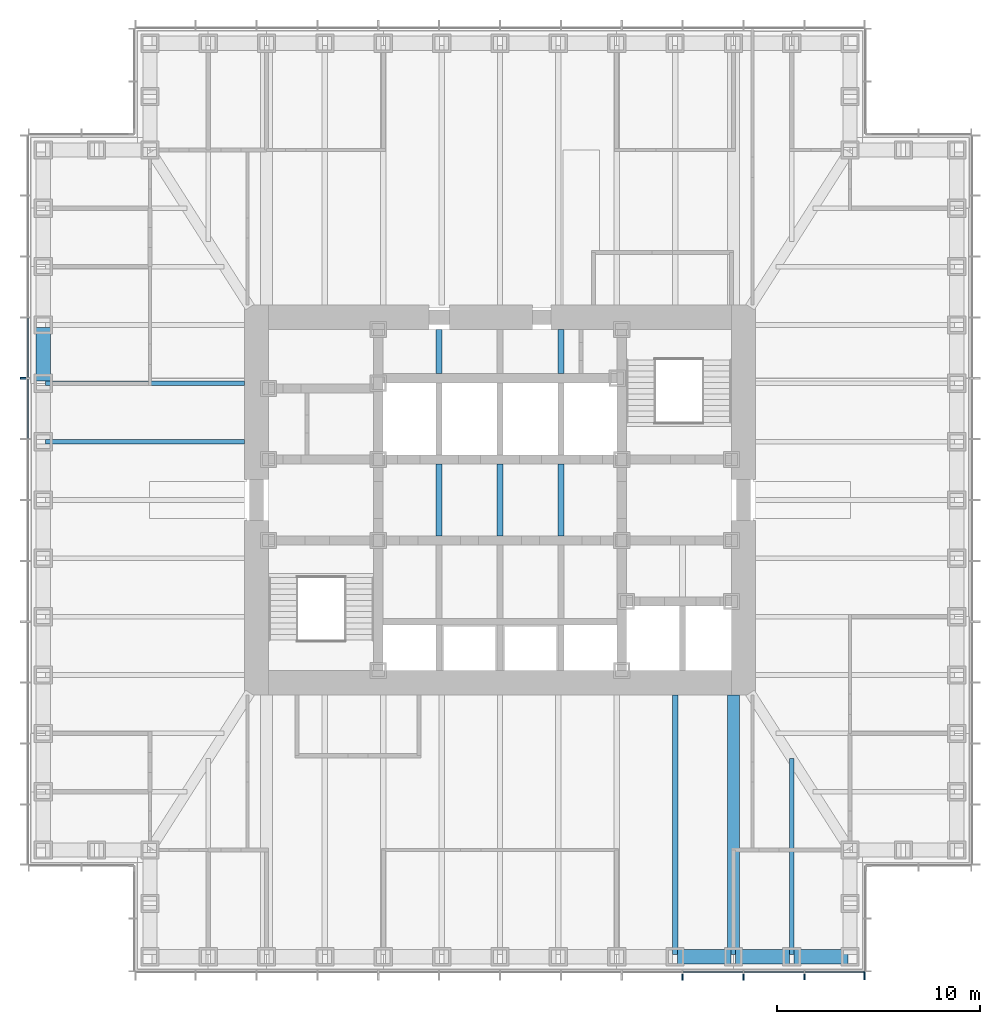
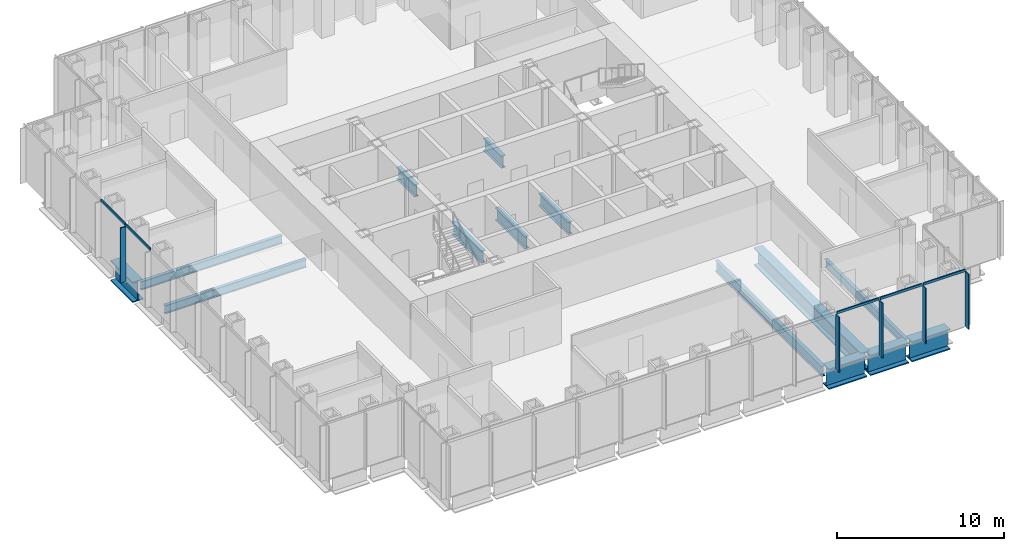
# One storey, part 3 of 17: 14 beams, 10 members, 2 elements without a shape of their own.
"""IFC4 building model written with IfcOpenShell, lengths in metres."""

from ifc_helpers import new_model, si_unit, direction, frame, origin, origin_2d, place, context, subcontext, project, spatial, rectangle, i_section, extrude, material, material_profile, profile_set, type_object, element, aggregate, save


model = new_model("IFC4")

# Units and contexts
model_context = context("Model", 3, precision=1e-05, world=origin(), true_north=direction((0.0, 1.0)))
body_context = subcontext(model_context, "Body", "Model", "MODEL_VIEW")
ifc_project = project(units=[si_unit("LENGTHUNIT", "METRE"), si_unit("AREAUNIT", "SQUARE_METRE"), si_unit("VOLUMEUNIT", "CUBIC_METRE"), si_unit("PLANEANGLEUNIT", "RADIAN"), si_unit("MASSUNIT", "GRAM", prefix="KILO")], contexts=[model_context])

# Site, building, storey
site_placement = place(None, origin())
site = spatial("IfcSite", under=ifc_project, at=site_placement, CompositionType="ELEMENT")
building_placement = place(site_placement, origin())
building = spatial("IfcBuilding", under=site, at=building_placement, Name="Daluyong Arena Tower", CompositionType="ELEMENT")
storey_placement = place(building_placement, frame((0.0, 0.0, 145.89990234375)))
storey = spatial("IfcBuildingStorey", under=building, at=storey_placement, Name="L32", CompositionType="ELEMENT", Elevation=145.89990234375)

# Curtain wall, members
ifc_material_1 = material(Name="Bronze anodised aluminium and glass", Category="aluminium")
curtain_wall_type = type_object("IfcCurtainWallType", Name="Curtain wall CW2", PredefinedType="USERDEFINED", material=ifc_material_1)
curtain_wall_1_placement = place(storey_placement, origin())
curtain_wall_1 = element("IfcCurtainWall", 1, at=curtain_wall_1_placement, inside=storey, type_object=curtain_wall_type, Name="curtain wall L32 S", ObjectType="UNITISED CURTAIN WALL", PredefinedType="USERDEFINED")
ifc_material_2 = material(Name="Bronze anodised aluminium fin", Category="aluminium")
ifc_material_profile_1 = material_profile(ifc_material_2, rectangle(XDim=0.39990234375, YDim=0.080078125, at=origin_2d()))
ifc_profile_set_1 = profile_set([ifc_material_profile_1], Name="Bronze anodised aluminium fin")
member_type_1 = type_object("IfcMemberType", Name="CW2 bronze fin 400x80", PredefinedType="MULLION", material=ifc_profile_set_1)
member_1_placement = place(storey_placement, frame((65.0, 56.550048828125, 0.0), z_axis=(0.0, 0.0, 1.0), x_axis=(0.0, 1.0, 0.0)))
member_1 = element("IfcMember", 2, at=member_1_placement, type_object=member_type_1, Name="curtain wall L32 S fin 10", PredefinedType="MULLION", context=body_context, shape_type="SweptSolid", body=[
    extrude(rectangle(XDim=0.39990234375, YDim=0.080078125, at=origin_2d()), origin(), (0.0, 0.0, 1.0), 4.02001953125),
])
member_2_placement = place(storey_placement, frame((68.0, 56.550048828125, 0.0), z_axis=(0.0, 0.0, 1.0), x_axis=(0.0, 1.0, 0.0)))
member_2 = element("IfcMember", 3, at=member_2_placement, type_object=member_type_1, Name="curtain wall L32 S fin 11", PredefinedType="MULLION", context=body_context, shape_type="SweptSolid", body=[
    extrude(rectangle(XDim=0.39990234375, YDim=0.080078125, at=origin_2d()), origin(), (0.0, 0.0, 1.0), 4.02001953125),
])
member_3_placement = place(storey_placement, frame((71.0, 56.550048828125, 0.0), z_axis=(0.0, 0.0, 1.0), x_axis=(0.0, 1.0, 0.0)))
member_3 = element("IfcMember", 4, at=member_3_placement, type_object=member_type_1, Name="curtain wall L32 S fin 12", PredefinedType="MULLION", context=body_context, shape_type="SweptSolid", body=[
    extrude(rectangle(XDim=0.39990234375, YDim=0.080078125, at=origin_2d()), origin(), (0.0, 0.0, 1.0), 4.02001953125),
])
member_4_placement = place(storey_placement, frame((73.9599609375, 56.550048828125, 0.0), z_axis=(0.0, 0.0, 1.0), x_axis=(0.0, 1.0, 0.0)))
member_4 = element("IfcMember", 5, at=member_4_placement, type_object=member_type_1, Name="curtain wall L32 S fin 13", PredefinedType="MULLION", context=body_context, shape_type="SweptSolid", body=[
    extrude(rectangle(XDim=0.39990234375, YDim=0.080078125, at=origin_2d()), origin(), (0.0, 0.0, 1.0), 4.02001953125),
])

# Curtain wall, member
curtain_wall_2_placement = place(storey_placement, origin())
curtain_wall_2 = element("IfcCurtainWall", 6, at=curtain_wall_2_placement, inside=storey, type_object=curtain_wall_type, Name="curtain wall L32 W", ObjectType="UNITISED CURTAIN WALL", PredefinedType="USERDEFINED")
member_5_placement = place(storey_placement, frame((32.550048828125, 86.0, 0.0), z_axis=(0.0, 0.0, 1.0), x_axis=(1.0, 0.0, 0.0)))
member_5 = element("IfcMember", 7, at=member_5_placement, type_object=member_type_1, Name="curtain wall L32 W fin 5", PredefinedType="MULLION", context=body_context, shape_type="SweptSolid", body=[
    extrude(rectangle(XDim=0.39990234375, YDim=0.080078125, at=origin_2d()), origin(), (0.0, 0.0, 1.0), 4.02001953125),
])

# Member
ifc_material_3 = material(Name="Bronze anodised aluminium", Category="aluminium")
ifc_material_profile_2 = material_profile(ifc_material_3, rectangle(XDim=0.080078125, YDim=0.179931640625, at=origin_2d()))
ifc_profile_set_2 = profile_set([ifc_material_profile_2], Name="Bronze anodised aluminium")
member_type_2 = type_object("IfcMemberType", Name="CW2 stack transom 180x80", PredefinedType="USERDEFINED", material=ifc_profile_set_2)
member_6_placement = place(storey_placement, frame((65.0400390625, 56.75, 4.110107421875), z_axis=(1.0, 0.0, 0.0), x_axis=(0.0, 1.0, 0.0)))
member_6 = element("IfcMember", 8, at=member_6_placement, type_object=member_type_2, Name="curtain wall L32 S transom 10", ObjectType="TRANSOM", PredefinedType="USERDEFINED", context=body_context, shape_type="SweptSolid", body=[
    extrude(rectangle(XDim=0.080078125, YDim=0.179931640625, at=origin_2d()), origin(), (0.0, 0.0, 1.0), 2.919921875),
])

member_7_placement = place(storey_placement, frame((68.0400390625, 56.75, 4.110107421875), z_axis=(1.0, 0.0, 0.0), x_axis=(0.0, 1.0, 0.0)))
member_7 = element("IfcMember", 9, at=member_7_placement, type_object=member_type_2, Name="curtain wall L32 S transom 11", ObjectType="TRANSOM", PredefinedType="USERDEFINED", context=body_context, shape_type="SweptSolid", body=[
    extrude(rectangle(XDim=0.080078125, YDim=0.179931640625, at=origin_2d()), origin(), (0.0, 0.0, 1.0), 2.919921875),
])

member_8_placement = place(storey_placement, frame((71.0400390625, 56.75, 4.110107421875), z_axis=(1.0, 0.0, 0.0), x_axis=(0.0, 1.0, 0.0)))
member_8 = element("IfcMember", 10, at=member_8_placement, type_object=member_type_2, Name="curtain wall L32 S transom 12", ObjectType="TRANSOM", PredefinedType="USERDEFINED", context=body_context, shape_type="SweptSolid", body=[
    extrude(rectangle(XDim=0.080078125, YDim=0.179931640625, at=origin_2d()), origin(), (0.0, 0.0, 1.0), 2.8798828125),
])

aggregate(curtain_wall_1, [member_1, member_2, member_3, member_4, member_6, member_7, member_8])

member_9_placement = place(storey_placement, frame((32.75, 88.9599609375, 4.110107421875), z_axis=(0.0, -1.0, 0.0), x_axis=(1.0, 0.0, 0.0)))
member_9 = element("IfcMember", 11, at=member_9_placement, type_object=member_type_2, Name="curtain wall L32 W transom 4", ObjectType="TRANSOM", PredefinedType="USERDEFINED", context=body_context, shape_type="SweptSolid", body=[
    extrude(rectangle(XDim=0.080078125, YDim=0.179931640625, at=origin_2d()), origin(), (0.0, 0.0, 1.0), 2.919921875),
])

member_10_placement = place(storey_placement, frame((32.75, 85.9599609375, 4.110107421875), z_axis=(0.0, -1.0, 0.0), x_axis=(1.0, 0.0, 0.0)))
member_10 = element("IfcMember", 12, at=member_10_placement, type_object=member_type_2, Name="curtain wall L32 W transom 5", ObjectType="TRANSOM", PredefinedType="USERDEFINED", context=body_context, shape_type="SweptSolid", body=[
    extrude(rectangle(XDim=0.080078125, YDim=0.179931640625, at=origin_2d()), origin(), (0.0, 0.0, 1.0), 2.919921875),
])

aggregate(curtain_wall_2, [member_5, member_9, member_10])

# Beams
ifc_material_4 = material(Name="Steel ASTM A572 Grade 50", Category="steel")
ifc_material_profile_3 = material_profile(ifc_material_4, i_section(OverallWidth=0.60009765625, OverallDepth=1.300048828125, WebThickness=0.035, FlangeThickness=0.07, at=origin_2d()))
ifc_profile_set_3 = profile_set([ifc_material_profile_3], Name="Steel ASTM A572 Grade 50")
beam_type_1 = type_object("IfcBeamType", Name="Floor beam TB1300X600", PredefinedType="BEAM", material=ifc_profile_set_3)
beam_1_placement = place(storey_placement, frame((67.5, 57.614990234375, -0.809814453125), z_axis=(0.0, 1.0, 0.0), x_axis=(-1.0, 0.0, 0.0)))
element("IfcBeam", 13, at=beam_1_placement, inside=storey, type_object=beam_type_1, Name="floor beam FB7", PredefinedType="BEAM", context=body_context, shape_type="SweptSolid", body=[
    extrude(i_section(OverallWidth=0.60009765625, OverallDepth=1.300048828125, WebThickness=0.035, FlangeThickness=0.07, at=origin_2d()), origin(), (0.0, 0.0, 1.0), 12.784912109375),
])
ifc_material_5 = material(Name="Steel ASTM A992 Grade 50", Category="steel")
ifc_material_profile_4 = material_profile(ifc_material_5, i_section(OverallWidth=0.22900390625, OverallDepth=0.612060546875, WebThickness=0.011962890625, FlangeThickness=0.01953125, at=origin_2d()))
ifc_profile_set_4 = profile_set([ifc_material_profile_4], Name="Steel ASTM A992 Grade 50")
beam_type_2 = type_object("IfcBeamType", Name="Floor beam W24X84", PredefinedType="BEAM", material=ifc_profile_set_4)
beam_2_placement = place(storey_placement, frame((70.375, 57.614990234375, -0.466064453125), z_axis=(0.0, 1.0, 0.0), x_axis=(-1.0, 0.0, 0.0)))
element("IfcBeam", 14, at=beam_2_placement, inside=storey, type_object=beam_type_2, Name="floor beam FB3", PredefinedType="BEAM", context=body_context, shape_type="SweptSolid", body=[
    extrude(i_section(OverallWidth=0.22900390625, OverallDepth=0.612060546875, WebThickness=0.011962890625, FlangeThickness=0.01953125, at=origin_2d()), origin(), (0.0, 0.0, 1.0), 9.65283203125),
])
for number, where, z_axis, x_axis, name in (
    (15, (33.614990234375, 85.75, -0.466064453125), (1.0, 0.0, 0.0), (0.0, 1.0, 0.0), "floor beam FB3"),
    (16, (33.614990234375, 82.875, -0.466064453125), (1.0, 0.0, 0.0), (0.0, 1.0, 0.0), "floor beam FB3"),
):
    element("IfcBeam", number, at=place(storey_placement, frame(where, z_axis=z_axis, x_axis=x_axis)), inside=storey, type_object=beam_type_2, Name=name, PredefinedType="BEAM", context=body_context, shape_type="SweptSolid", body=[
        extrude(i_section(OverallWidth=0.22900390625, OverallDepth=0.612060546875, WebThickness=0.011962890625, FlangeThickness=0.01953125, at=origin_2d()), origin(), (0.0, 0.0, 1.0), 9.784912109375),
    ])
ifc_material_6 = material(Name="Steel ASTM A992 Grade 50", Category="steel")
ifc_material_profile_5 = material_profile(ifc_material_6, i_section(OverallWidth=0.2666015625, OverallDepth=0.761962890625, WebThickness=0.014404296875, FlangeThickness=0.021484375, at=origin_2d()))
ifc_profile_set_5 = profile_set([ifc_material_profile_5], Name="Steel ASTM A992 Grade 50")
beam_type_3 = type_object("IfcBeamType", Name="Floor beam W30X116", PredefinedType="BEAM", material=ifc_profile_set_5)
beam_3_placement = place(storey_placement, frame((64.625, 57.614990234375, -0.541015625), z_axis=(0.0, 1.0, 0.0), x_axis=(-1.0, 0.0, 0.0)))
element("IfcBeam", 17, at=beam_3_placement, inside=storey, type_object=beam_type_3, Name="floor beam FB4", PredefinedType="BEAM", context=body_context, shape_type="SweptSolid", body=[
    extrude(i_section(OverallWidth=0.2666015625, OverallDepth=0.761962890625, WebThickness=0.014404296875, FlangeThickness=0.021484375, at=origin_2d()), origin(), (0.0, 0.0, 1.0), 12.784912109375),
])
ifc_material_7 = material(Name="Steel ASTM A572 Grade 50", Category="steel")
ifc_material_profile_6 = material_profile(ifc_material_7, i_section(OverallWidth=0.300048828125, OverallDepth=0.89990234375, WebThickness=0.025, FlangeThickness=0.04, at=origin_2d()))
ifc_profile_set_6 = profile_set([ifc_material_profile_6], Name="Steel ASTM A572 Grade 50")
beam_type_4 = type_object("IfcBeamType", Name="Lift divider beam PG900X300", PredefinedType="BEAM", material=ifc_profile_set_6)
beam_4_placement = place(storey_placement, frame((53.0, 78.22509765625, -0.60986328125), z_axis=(0.0, 1.0, 0.0), x_axis=(-1.0, 0.0, 0.0)))
element("IfcBeam", 18, at=beam_4_placement, inside=storey, type_object=beam_type_4, Name="lift divider beam DB1", PredefinedType="BEAM", context=body_context, shape_type="SweptSolid", body=[
    extrude(i_section(OverallWidth=0.300048828125, OverallDepth=0.89990234375, WebThickness=0.025, FlangeThickness=0.04, at=origin_2d()), origin(), (0.0, 0.0, 1.0), 3.5498046875),
])
beam_5_placement = place(storey_placement, frame((53.0, 86.22509765625, -0.60986328125), z_axis=(0.0, 1.0, 0.0), x_axis=(-1.0, 0.0, 0.0)))
element("IfcBeam", 19, at=beam_5_placement, inside=storey, type_object=beam_type_4, Name="lift divider beam DB1", PredefinedType="BEAM", context=body_context, shape_type="SweptSolid", body=[
    extrude(i_section(OverallWidth=0.300048828125, OverallDepth=0.89990234375, WebThickness=0.025, FlangeThickness=0.04, at=origin_2d()), origin(), (0.0, 0.0, 1.0), 2.1748046875),
])
for number, where, z_axis, x_axis, name in (
    (20, (56.0, 78.22509765625, -0.60986328125), (0.0, 1.0, 0.0), (-1.0, 0.0, 0.0), "lift divider beam DB1"),
    (21, (59.0, 78.22509765625, -0.60986328125), (0.0, 1.0, 0.0), (-1.0, 0.0, 0.0), "lift divider beam DB1"),
):
    element("IfcBeam", number, at=place(storey_placement, frame(where, z_axis=z_axis, x_axis=x_axis)), inside=storey, type_object=beam_type_4, Name=name, PredefinedType="BEAM", context=body_context, shape_type="SweptSolid", body=[
        extrude(i_section(OverallWidth=0.300048828125, OverallDepth=0.89990234375, WebThickness=0.025, FlangeThickness=0.04, at=origin_2d()), origin(), (0.0, 0.0, 1.0), 3.5498046875),
    ])
beam_6_placement = place(storey_placement, frame((59.0, 86.22509765625, -0.60986328125), z_axis=(0.0, 1.0, 0.0), x_axis=(-1.0, 0.0, 0.0)))
element("IfcBeam", 22, at=beam_6_placement, inside=storey, type_object=beam_type_4, Name="lift divider beam DB1", PredefinedType="BEAM", context=body_context, shape_type="SweptSolid", body=[
    extrude(i_section(OverallWidth=0.300048828125, OverallDepth=0.89990234375, WebThickness=0.025, FlangeThickness=0.04, at=origin_2d()), origin(), (0.0, 0.0, 1.0), 2.1748046875),
])
ifc_material_8 = material(Name="Steel ASTM A572 Grade 50", Category="steel")
ifc_material_profile_7 = material_profile(ifc_material_8, i_section(OverallWidth=0.699951171875, OverallDepth=1.5, WebThickness=0.04, FlangeThickness=0.08, at=origin_2d()))
ifc_profile_set_7 = profile_set([ifc_material_profile_7], Name="Steel ASTM A572 Grade 50")
beam_type_5 = type_object("IfcBeamType", Name="Spandrel Z2 PG1500X700", PredefinedType="SPANDREL", material=ifc_profile_set_7)
for number, where, z_axis, x_axis, name in (
    (23, (64.739990234375, 57.5, -0.909912109375), (1.0, 0.0, 0.0), (0.0, 1.0, 0.0), "spandrel z2 SB6"),
    (24, (67.614990234375, 57.5, -0.909912109375), (1.0, 0.0, 0.0), (0.0, 1.0, 0.0), "spandrel z2 SB6"),
    (25, (70.489990234375, 57.5, -0.909912109375), (1.0, 0.0, 0.0), (0.0, 1.0, 0.0), "spandrel z2 SB6"),
    (26, (33.5, 88.510009765625, -0.909912109375), (0.0, -1.0, 0.0), (1.0, 0.0, 0.0), "spandrel z2 SB6"),
):
    element("IfcBeam", number, at=place(storey_placement, frame(where, z_axis=z_axis, x_axis=x_axis)), inside=storey, type_object=beam_type_5, Name=name, PredefinedType="SPANDREL", context=body_context, shape_type="SweptSolid", body=[
        extrude(i_section(OverallWidth=0.699951171875, OverallDepth=1.5, WebThickness=0.04, FlangeThickness=0.08, at=origin_2d()), origin(), (0.0, 0.0, 1.0), 2.64501953125),
    ])

save(model, "model.ifc")
